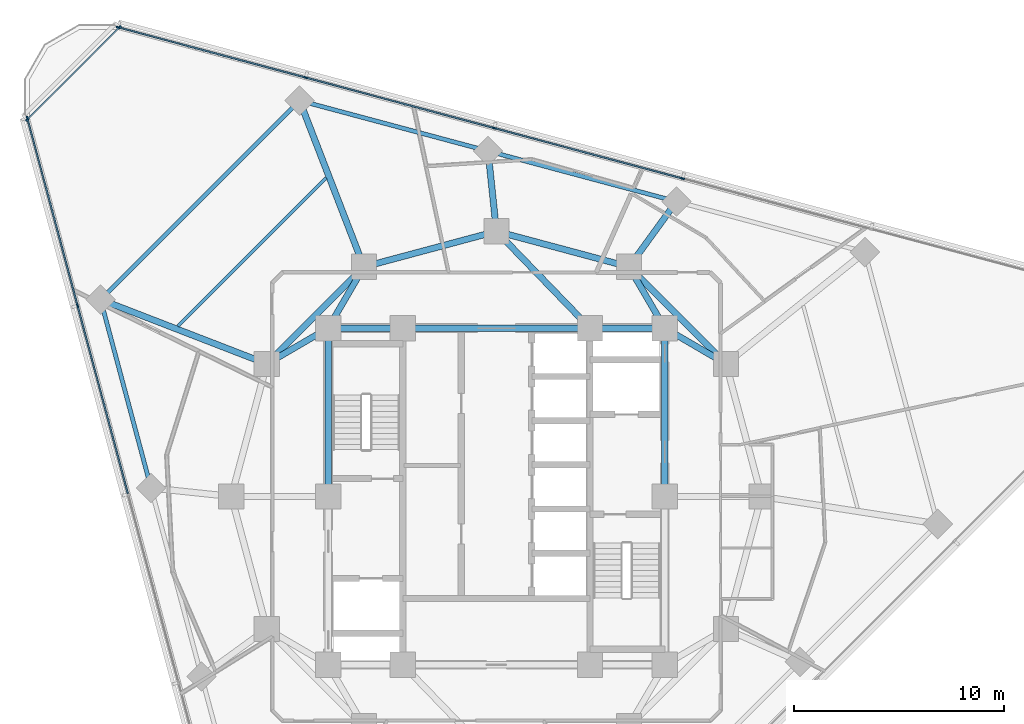
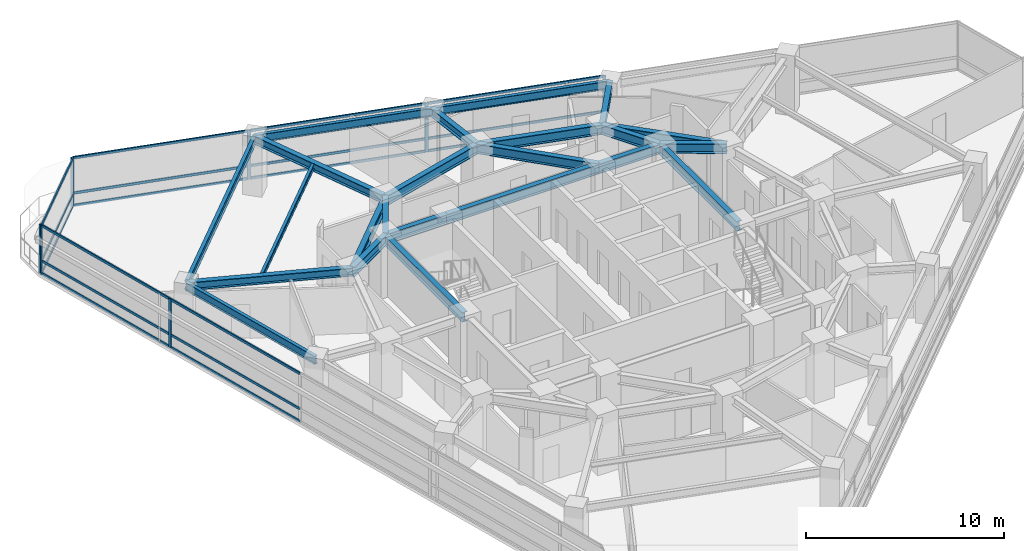
# One storey, part 4 of 14: 26 members, 23 beams, 3 elements without a shape of their own.
"""IFC4 building model written with IfcOpenShell, lengths in metres."""

from ifc_helpers import new_model, si_unit, direction, frame, origin, origin_2d, place, context, subcontext, project, spatial, rectangle, i_section, extrude, material, layer, layer_set, material_profile, profile_set, type_object, element, aggregate, save


model = new_model("IFC4")

# Units and contexts
model_context = context("Model", 3, precision=1e-05, world=origin(), true_north=direction((0.0, 1.0)))
body_context = subcontext(model_context, "Body", "Model", "MODEL_VIEW")
ifc_project = project(units=[si_unit("LENGTHUNIT", "METRE"), si_unit("AREAUNIT", "SQUARE_METRE"), si_unit("VOLUMEUNIT", "CUBIC_METRE"), si_unit("PLANEANGLEUNIT", "RADIAN"), si_unit("MASSUNIT", "GRAM", prefix="KILO")], contexts=[model_context])

# Site, building, storey
site_placement = place(None, origin())
site = spatial("IfcSite", under=ifc_project, at=site_placement, CompositionType="ELEMENT")
building_placement = place(site_placement, origin())
building = spatial("IfcBuilding", under=site, at=building_placement, Name="Terralouvre Media Tower", CompositionType="ELEMENT")
storey_placement = place(building_placement, frame((0.0, 0.0, 184.199951171875)))
storey = spatial("IfcBuildingStorey", under=building, at=storey_placement, Name="L47", CompositionType="ELEMENT", Elevation=184.199951171875)

# Beam
ifc_material_1 = material(Name="Structural steel S355J2", Category="steel")
ifc_material_profile_1 = material_profile(ifc_material_1, i_section(OverallWidth=0.159912109375, OverallDepth=0.330078125, WebThickness=0.007568359375, FlangeThickness=0.011474609375, at=origin_2d()), Name="IPE 330")
ifc_profile_set_1 = profile_set([ifc_material_profile_1], Name="Structural steel S355J2")
beam_type_1 = type_object("IfcBeamType", Name="Composite Floor Joist J-IPE330 (IPE 330)", PredefinedType="JOIST", material=ifc_profile_set_1)
beam_1_placement = place(storey_placement, frame((-8.095947265625, 15.14453125, 3.3349609375), z_axis=(-0.707106781187, -0.707106781187, 0.0), x_axis=(0.707106781187, -0.707106781187, 0.0)))
element("IfcBeam", 1, at=beam_1_placement, inside=storey, type_object=beam_type_1, Name="L47 Framing Beam JT-L47-05", PredefinedType="JOIST", context=body_context, shape_type="SweptSolid", body=[
    extrude(i_section(OverallWidth=0.159912109375, OverallDepth=0.330078125, WebThickness=0.007568359375, FlangeThickness=0.011474609375, at=origin_2d()), origin(), (0.0, 0.0, 1.0), 9.96826171875),
])

# Curtain wall, members
ifc_material_2 = material(Name="Low-iron laminated double glazing with solar-control coating", Category="glass")
ifc_layer_1 = layer(ifc_material_2, 0.1650390625, Name="Production Studio Tower Curtain Wall CW-03")
ifc_layer_set_1 = layer_set([ifc_layer_1], Name="Low-iron laminated double glazing with solar-control coating")
curtain_wall_type_1 = type_object("IfcCurtainWallType", Name="Production Studio Tower Curtain Wall CW-03", PredefinedType="NOTDEFINED", material=ifc_layer_set_1)
curtain_wall_1_placement = place(storey_placement, origin())
curtain_wall_1 = element("IfcCurtainWall", 2, at=curtain_wall_1_placement, inside=storey, type_object=curtain_wall_type_1, Name="L47 Facade Curtain Wall F1", PredefinedType="NOTDEFINED")
ifc_material_3 = material(Name="Anodised extruded aluminium 6063-T6", Category="aluminium")
ifc_material_profile_2 = material_profile(ifc_material_3, rectangle(XDim=0.074951171875, YDim=0.14990234375, at=origin_2d()), Name="ALU 75x150")
ifc_profile_set_2 = profile_set([ifc_material_profile_2], Name="Anodised extruded aluminium 6063-T6")
member_type_1 = type_object("IfcMemberType", Name="Curtain-Wall Horizontal Transom TR-150", PredefinedType="USERDEFINED", material=ifc_profile_set_2)
member_1_placement = place(storey_placement, frame((8.8115234375, 15.117431640625, 0.03759765625), z_axis=(-0.965926723605, 0.25881569625, 0.0), x_axis=(-0.25881569625, -0.965926723605, 0.0)))
member_1 = element("IfcMember", 3, at=member_1_placement, type_object=member_type_1, Name="CW-03 transom 3.1", ObjectType="TRANSOM", PredefinedType="USERDEFINED", context=body_context, shape_type="SweptSolid", body=[
    extrude(rectangle(XDim=0.074951171875, YDim=0.14990234375, at=origin_2d()), origin(), (0.0, 0.0, 1.0), 9.197265625),
])
member_2_placement = place(storey_placement, frame((8.8115234375, 15.117431640625, 0.800048828125), z_axis=(-0.965926723605, 0.25881569625, 0.0), x_axis=(-0.25881569625, -0.965926723605, 0.0)))
member_2 = element("IfcMember", 4, at=member_2_placement, type_object=member_type_1, Name="CW-03 transom 3.2", ObjectType="TRANSOM", PredefinedType="USERDEFINED", context=body_context, shape_type="SweptSolid", body=[
    extrude(rectangle(XDim=0.074951171875, YDim=0.14990234375, at=origin_2d()), origin(), (0.0, 0.0, 1.0), 9.197265625),
])
member_3_placement = place(storey_placement, frame((8.8115234375, 15.117431640625, 2.962646484375), z_axis=(-0.965926723605, 0.25881569625, 0.0), x_axis=(-0.25881569625, -0.965926723605, 0.0)))
member_3 = element("IfcMember", 5, at=member_3_placement, type_object=member_type_1, Name="CW-03 transom 3.3", ObjectType="TRANSOM", PredefinedType="USERDEFINED", context=body_context, shape_type="SweptSolid", body=[
    extrude(rectangle(XDim=0.074951171875, YDim=0.14990234375, at=origin_2d()), origin(), (0.0, 0.0, 1.0), 9.197265625),
])
member_4_placement = place(storey_placement, frame((-0.14453125, 17.517333984375, 0.03759765625), z_axis=(-0.965926723605, 0.25881569625, 0.0), x_axis=(-0.25881569625, -0.965926723605, 0.0)))
member_4 = element("IfcMember", 6, at=member_4_placement, type_object=member_type_1, Name="CW-03 transom 4.1", ObjectType="TRANSOM", PredefinedType="USERDEFINED", context=body_context, shape_type="SweptSolid", body=[
    extrude(rectangle(XDim=0.074951171875, YDim=0.14990234375, at=origin_2d()), origin(), (0.0, 0.0, 1.0), 9.197265625),
])
member_5_placement = place(storey_placement, frame((-0.14453125, 17.517333984375, 0.800048828125), z_axis=(-0.965926723605, 0.25881569625, 0.0), x_axis=(-0.25881569625, -0.965926723605, 0.0)))
member_5 = element("IfcMember", 7, at=member_5_placement, type_object=member_type_1, Name="CW-03 transom 4.2", ObjectType="TRANSOM", PredefinedType="USERDEFINED", context=body_context, shape_type="SweptSolid", body=[
    extrude(rectangle(XDim=0.074951171875, YDim=0.14990234375, at=origin_2d()), origin(), (0.0, 0.0, 1.0), 9.197265625),
])
member_6_placement = place(storey_placement, frame((-0.14453125, 17.517333984375, 2.962646484375), z_axis=(-0.965926723605, 0.25881569625, 0.0), x_axis=(-0.25881569625, -0.965926723605, 0.0)))
member_6 = element("IfcMember", 8, at=member_6_placement, type_object=member_type_1, Name="CW-03 transom 4.3", ObjectType="TRANSOM", PredefinedType="USERDEFINED", context=body_context, shape_type="SweptSolid", body=[
    extrude(rectangle(XDim=0.074951171875, YDim=0.14990234375, at=origin_2d()), origin(), (0.0, 0.0, 1.0), 9.197265625),
])
member_7_placement = place(storey_placement, frame((-9.1005859375, 19.9169921875, 0.03759765625), z_axis=(-0.965927230856, 0.25881380313, 0.0), x_axis=(-0.25881380313, -0.965927230856, 0.0)))
member_7 = element("IfcMember", 9, at=member_7_placement, type_object=member_type_1, Name="CW-03 transom 5.1", ObjectType="TRANSOM", PredefinedType="USERDEFINED", context=body_context, shape_type="SweptSolid", body=[
    extrude(rectangle(XDim=0.074951171875, YDim=0.14990234375, at=origin_2d()), origin(), (0.0, 0.0, 1.0), 9.159423828125),
])
member_8_placement = place(storey_placement, frame((-9.1005859375, 19.9169921875, 0.800048828125), z_axis=(-0.965927230856, 0.25881380313, 0.0), x_axis=(-0.25881380313, -0.965927230856, 0.0)))
member_8 = element("IfcMember", 10, at=member_8_placement, type_object=member_type_1, Name="CW-03 transom 5.2", ObjectType="TRANSOM", PredefinedType="USERDEFINED", context=body_context, shape_type="SweptSolid", body=[
    extrude(rectangle(XDim=0.074951171875, YDim=0.14990234375, at=origin_2d()), origin(), (0.0, 0.0, 1.0), 9.159423828125),
])
member_9_placement = place(storey_placement, frame((-9.1005859375, 19.9169921875, 2.962646484375), z_axis=(-0.965927230856, 0.25881380313, 0.0), x_axis=(-0.25881380313, -0.965927230856, 0.0)))
member_9 = element("IfcMember", 11, at=member_9_placement, type_object=member_type_1, Name="CW-03 transom 5.3", ObjectType="TRANSOM", PredefinedType="USERDEFINED", context=body_context, shape_type="SweptSolid", body=[
    extrude(rectangle(XDim=0.074951171875, YDim=0.14990234375, at=origin_2d()), origin(), (0.0, 0.0, 1.0), 9.159423828125),
])

curtain_wall_2_placement = place(storey_placement, origin())
curtain_wall_2 = element("IfcCurtainWall", 12, at=curtain_wall_2_placement, inside=storey, type_object=curtain_wall_type_1, Name="L47 Facade Curtain Wall F2", PredefinedType="NOTDEFINED")
member_10_placement = place(storey_placement, frame((-22.28759765625, 17.947998046875, 0.03759765625), z_axis=(0.25881380313, -0.965927230856, 0.0), x_axis=(0.965927230856, 0.25881380313, 0.0)))
member_10 = element("IfcMember", 13, at=member_10_placement, type_object=member_type_1, Name="CW-03 transom 1.1", ObjectType="TRANSOM", PredefinedType="USERDEFINED", context=body_context, shape_type="SweptSolid", body=[
    extrude(rectangle(XDim=0.074951171875, YDim=0.14990234375, at=origin_2d()), origin(), (0.0, 0.0, 1.0), 9.159423828125),
])
member_11_placement = place(storey_placement, frame((-22.28759765625, 17.947998046875, 0.800048828125), z_axis=(0.25881380313, -0.965927230856, 0.0), x_axis=(0.965927230856, 0.25881380313, 0.0)))
member_11 = element("IfcMember", 14, at=member_11_placement, type_object=member_type_1, Name="CW-03 transom 1.2", ObjectType="TRANSOM", PredefinedType="USERDEFINED", context=body_context, shape_type="SweptSolid", body=[
    extrude(rectangle(XDim=0.074951171875, YDim=0.14990234375, at=origin_2d()), origin(), (0.0, 0.0, 1.0), 9.159423828125),
])
member_12_placement = place(storey_placement, frame((-22.28759765625, 17.947998046875, 2.962646484375), z_axis=(0.25881380313, -0.965927230856, 0.0), x_axis=(0.965927230856, 0.25881380313, 0.0)))
member_12 = element("IfcMember", 15, at=member_12_placement, type_object=member_type_1, Name="CW-03 transom 1.3", ObjectType="TRANSOM", PredefinedType="USERDEFINED", context=body_context, shape_type="SweptSolid", body=[
    extrude(rectangle(XDim=0.074951171875, YDim=0.14990234375, at=origin_2d()), origin(), (0.0, 0.0, 1.0), 9.159423828125),
])
member_13_placement = place(storey_placement, frame((-19.897705078125, 9.0283203125, 0.03759765625), z_axis=(0.25881569625, -0.965926723605, 0.0), x_axis=(0.965926723605, 0.25881569625, 0.0)))
member_13 = element("IfcMember", 16, at=member_13_placement, type_object=member_type_1, Name="CW-03 transom 2.1", ObjectType="TRANSOM", PredefinedType="USERDEFINED", context=body_context, shape_type="SweptSolid", body=[
    extrude(rectangle(XDim=0.074951171875, YDim=0.14990234375, at=origin_2d()), origin(), (0.0, 0.0, 1.0), 9.197265625),
])
member_14_placement = place(storey_placement, frame((-19.897705078125, 9.0283203125, 0.800048828125), z_axis=(0.25881569625, -0.965926723605, 0.0), x_axis=(0.965926723605, 0.25881569625, 0.0)))
member_14 = element("IfcMember", 17, at=member_14_placement, type_object=member_type_1, Name="CW-03 transom 2.2", ObjectType="TRANSOM", PredefinedType="USERDEFINED", context=body_context, shape_type="SweptSolid", body=[
    extrude(rectangle(XDim=0.074951171875, YDim=0.14990234375, at=origin_2d()), origin(), (0.0, 0.0, 1.0), 9.197265625),
])
member_15_placement = place(storey_placement, frame((-19.897705078125, 9.0283203125, 2.962646484375), z_axis=(0.25881569625, -0.965926723605, 0.0), x_axis=(0.965926723605, 0.25881569625, 0.0)))
member_15 = element("IfcMember", 18, at=member_15_placement, type_object=member_type_1, Name="CW-03 transom 2.3", ObjectType="TRANSOM", PredefinedType="USERDEFINED", context=body_context, shape_type="SweptSolid", body=[
    extrude(rectangle(XDim=0.074951171875, YDim=0.14990234375, at=origin_2d()), origin(), (0.0, 0.0, 1.0), 9.197265625),
])

ifc_material_4 = material(Name="Low-iron laminated double glazing with solar-control coating", Category="glass")
ifc_layer_2 = layer(ifc_material_4, 0.1650390625, Name="Rounded Wind-Corner Curved Glazing CW-04")
ifc_layer_set_2 = layer_set([ifc_layer_2], Name="Low-iron laminated double glazing with solar-control coating")
curtain_wall_type_2 = type_object("IfcCurtainWallType", Name="Rounded Wind-Corner Curved Glazing CW-04", PredefinedType="NOTDEFINED", material=ifc_layer_set_2)
curtain_wall_3_placement = place(storey_placement, origin())
curtain_wall_3 = element("IfcCurtainWall", 19, at=curtain_wall_3_placement, inside=storey, type_object=curtain_wall_type_2, Name="L47 Rounded Wind-Corner Curtain Wall C2", PredefinedType="NOTDEFINED")
member_16_placement = place(storey_placement, frame((-17.943603515625, 22.27099609375, 0.03759765625), z_axis=(-0.707106781187, -0.707106781187, 0.0), x_axis=(0.707106781187, -0.707106781187, 0.0)))
member_16 = element("IfcMember", 20, at=member_16_placement, type_object=member_type_1, Name="CW-04 transom 1.1", ObjectType="TRANSOM", PredefinedType="USERDEFINED", context=body_context, shape_type="SweptSolid", body=[
    extrude(rectangle(XDim=0.074951171875, YDim=0.14990234375, at=origin_2d()), origin(), (0.0, 0.0, 1.0), 6.119873046875),
])
member_17_placement = place(storey_placement, frame((-17.943603515625, 22.27099609375, 0.800048828125), z_axis=(-0.707106781187, -0.707106781187, 0.0), x_axis=(0.707106781187, -0.707106781187, 0.0)))
member_17 = element("IfcMember", 21, at=member_17_placement, type_object=member_type_1, Name="CW-04 transom 1.2", ObjectType="TRANSOM", PredefinedType="USERDEFINED", context=body_context, shape_type="SweptSolid", body=[
    extrude(rectangle(XDim=0.074951171875, YDim=0.14990234375, at=origin_2d()), origin(), (0.0, 0.0, 1.0), 6.119873046875),
])
member_18_placement = place(storey_placement, frame((-17.943603515625, 22.27099609375, 2.962646484375), z_axis=(-0.707106781187, -0.707106781187, 0.0), x_axis=(0.707106781187, -0.707106781187, 0.0)))
member_18 = element("IfcMember", 22, at=member_18_placement, type_object=member_type_1, Name="CW-04 transom 1.3", ObjectType="TRANSOM", PredefinedType="USERDEFINED", context=body_context, shape_type="SweptSolid", body=[
    extrude(rectangle(XDim=0.074951171875, YDim=0.14990234375, at=origin_2d()), origin(), (0.0, 0.0, 1.0), 6.119873046875),
])

# Member
ifc_material_5 = material(Name="Anodised extruded aluminium 6063-T6", Category="aluminium")
ifc_material_profile_3 = material_profile(ifc_material_5, rectangle(XDim=0.074951171875, YDim=0.179931640625, at=origin_2d()), Name="ALU 75x180")
ifc_profile_set_3 = profile_set([ifc_material_profile_3], Name="Anodised extruded aluminium 6063-T6")
member_type_2 = type_object("IfcMemberType", Name="Curtain-Wall Vertical Mullion ML-180", PredefinedType="MULLION", material=ifc_profile_set_3)
member_19_placement = place(storey_placement, frame((8.84765625, 15.10791015625, 0.0), z_axis=(0.0, 0.0, 1.0), x_axis=(-0.25881903342, -0.96592582942, 0.0)))
member_19 = element("IfcMember", 23, at=member_19_placement, type_object=member_type_2, Name="CW-03 mullion 3", PredefinedType="MULLION", context=body_context, shape_type="SweptSolid", body=[
    extrude(rectangle(XDim=0.074951171875, YDim=0.179931640625, at=origin_2d()), origin(), (0.0, 0.0, 1.0), 3.0),
])

member_20_placement = place(storey_placement, frame((-0.1083984375, 17.507568359375, 0.0), z_axis=(0.0, 0.0, 1.0), x_axis=(-0.25881903342, -0.96592582942, 0.0)))
member_20 = element("IfcMember", 24, at=member_20_placement, type_object=member_type_2, Name="CW-03 mullion 4", PredefinedType="MULLION", context=body_context, shape_type="SweptSolid", body=[
    extrude(rectangle(XDim=0.074951171875, YDim=0.179931640625, at=origin_2d()), origin(), (0.0, 0.0, 1.0), 3.0),
])

member_21_placement = place(storey_placement, frame((-9.064453125, 19.907470703125, 0.0), z_axis=(0.0, 0.0, 1.0), x_axis=(-0.25881903342, -0.96592582942, 0.0)))
member_21 = element("IfcMember", 25, at=member_21_placement, type_object=member_type_2, Name="CW-03 mullion 5", PredefinedType="MULLION", context=body_context, shape_type="SweptSolid", body=[
    extrude(rectangle(XDim=0.074951171875, YDim=0.179931640625, at=origin_2d()), origin(), (0.0, 0.0, 1.0), 3.0),
])

member_22_placement = place(storey_placement, frame((-17.984375, 22.29736328125, 0.0), z_axis=(0.0, 0.0, 1.0), x_axis=(-0.25881903342, -0.96592582942, 0.0)))
member_22 = element("IfcMember", 26, at=member_22_placement, type_object=member_type_2, Name="CW-03 mullion 6", PredefinedType="MULLION", context=body_context, shape_type="SweptSolid", body=[
    extrude(rectangle(XDim=0.074951171875, YDim=0.179931640625, at=origin_2d()), origin(), (0.0, 0.0, 1.0), 3.0),
])

aggregate(curtain_wall_1, [member_19, member_20, member_21, member_22, member_1, member_2, member_3, member_4, member_5, member_6, member_7, member_8, member_9])

member_23_placement = place(storey_placement, frame((-22.29736328125, 17.984375, 0.0), z_axis=(0.0, 0.0, 1.0), x_axis=(0.96592582942, 0.25881903342, 0.0)))
member_23 = element("IfcMember", 27, at=member_23_placement, type_object=member_type_2, Name="CW-03 mullion 1", PredefinedType="MULLION", context=body_context, shape_type="SweptSolid", body=[
    extrude(rectangle(XDim=0.074951171875, YDim=0.179931640625, at=origin_2d()), origin(), (0.0, 0.0, 1.0), 3.0),
])

member_24_placement = place(storey_placement, frame((-19.907470703125, 9.064453125, 0.0), z_axis=(0.0, 0.0, 1.0), x_axis=(0.96592582942, 0.25881903342, 0.0)))
member_24 = element("IfcMember", 28, at=member_24_placement, type_object=member_type_2, Name="CW-03 mullion 2", PredefinedType="MULLION", context=body_context, shape_type="SweptSolid", body=[
    extrude(rectangle(XDim=0.074951171875, YDim=0.179931640625, at=origin_2d()), origin(), (0.0, 0.0, 1.0), 3.0),
])

aggregate(curtain_wall_2, [member_23, member_24, member_10, member_11, member_12, member_13, member_14, member_15])

member_25_placement = place(storey_placement, frame((-17.9169921875, 22.297607421875, 0.0), z_axis=(0.0, 0.0, 1.0), x_axis=(0.707106781187, -0.707106781187, 0.0)))
member_25 = element("IfcMember", 29, at=member_25_placement, type_object=member_type_2, Name="CW-04 mullion 1", PredefinedType="MULLION", context=body_context, shape_type="SweptSolid", body=[
    extrude(rectangle(XDim=0.074951171875, YDim=0.179931640625, at=origin_2d()), origin(), (0.0, 0.0, 1.0), 3.0),
])

member_26_placement = place(storey_placement, frame((-22.297607421875, 17.9169921875, 0.0), z_axis=(0.0, 0.0, 1.0), x_axis=(0.707106781187, -0.707106781187, 0.0)))
member_26 = element("IfcMember", 30, at=member_26_placement, type_object=member_type_2, Name="CW-04 mullion 2", PredefinedType="MULLION", context=body_context, shape_type="SweptSolid", body=[
    extrude(rectangle(XDim=0.074951171875, YDim=0.179931640625, at=origin_2d()), origin(), (0.0, 0.0, 1.0), 3.0),
])

aggregate(curtain_wall_3, [member_25, member_26, member_16, member_17, member_18])

# Beams
ifc_material_6 = material(Name="Structural steel S355J2", Category="steel")
ifc_material_profile_4 = material_profile(ifc_material_6, i_section(OverallWidth=0.199951171875, OverallDepth=0.5, WebThickness=0.01025390625, FlangeThickness=0.01611328125, at=origin_2d()), Name="IPE 500")
ifc_profile_set_4 = profile_set([ifc_material_profile_4], Name="Structural steel S355J2")
beam_type_2 = type_object("IfcBeamType", Name="Perimeter Spandrel Beam SPB-500 (IPE 500)", PredefinedType="SPANDREL", material=ifc_profile_set_4)
for number, where, z_axis, x_axis, name in (
    (31, (8.55517578125, 14.016357421875, 3.25), (-0.965928776458, 0.258808034669, 0.0), (-0.258808034669, -0.965928776458, 0.0), "L47 Framing Beam BM-L47-PR08"),
    (32, (-0.40087890625, 16.416015625, 3.25), (-0.965922193685, 0.258832601786, 0.0), (-0.258832601786, -0.965922193685, 0.0), "L47 Framing Beam BM-L47-PR09"),
):
    element("IfcBeam", number, at=place(storey_placement, frame(where, z_axis=z_axis, x_axis=x_axis)), inside=storey, type_object=beam_type_2, Name=name, PredefinedType="SPANDREL", context=body_context, shape_type="SweptSolid", body=[
        extrude(i_section(OverallWidth=0.199951171875, OverallDepth=0.5, WebThickness=0.01025390625, FlangeThickness=0.01611328125, at=origin_2d()), origin(), (0.0, 0.0, 1.0), 9.27197265625),
    ])
beam_2_placement = place(storey_placement, frame((-9.35693359375, 18.81591796875, 3.25), z_axis=(-0.707106781187, -0.707106781187, 0.0), x_axis=(0.707106781187, -0.707106781187, 0.0)))
element("IfcBeam", 33, at=beam_2_placement, inside=storey, type_object=beam_type_2, Name="L47 Framing Beam BM-L47-PR10", PredefinedType="SPANDREL", context=body_context, shape_type="SweptSolid", body=[
    extrude(i_section(OverallWidth=0.199951171875, OverallDepth=0.5, WebThickness=0.01025390625, FlangeThickness=0.01611328125, at=origin_2d()), origin(), (0.0, 0.0, 1.0), 13.376953125),
])
beam_3_placement = place(storey_placement, frame((-18.81591796875, 9.35693359375, 3.25), z_axis=(0.258832601786, -0.965922193685, 0.0), x_axis=(0.965922193685, 0.258832601786, 0.0)))
element("IfcBeam", 34, at=beam_3_placement, inside=storey, type_object=beam_type_2, Name="L47 Framing Beam BM-L47-PR11", PredefinedType="SPANDREL", context=body_context, shape_type="SweptSolid", body=[
    extrude(i_section(OverallWidth=0.199951171875, OverallDepth=0.5, WebThickness=0.01025390625, FlangeThickness=0.01611328125, at=origin_2d()), origin(), (0.0, 0.0, 1.0), 9.27197265625),
])
ifc_material_7 = material(Name="Structural steel S355J2", Category="steel")
ifc_material_profile_5 = material_profile(ifc_material_7, i_section(OverallWidth=0.300048828125, OverallDepth=0.5, WebThickness=0.014404296875, FlangeThickness=0.028076171875, at=origin_2d()), Name="HEB 500")
ifc_profile_set_5 = profile_set([ifc_material_profile_5], Name="Structural steel S355J2")
beam_type_3 = type_object("IfcBeamType", Name="Primary Floor Girder B-HEB500 (HEB 500)", PredefinedType="BEAM", material=ifc_profile_set_5)
beam_4_placement = place(storey_placement, frame((6.300048828125, 10.911865234375, 3.25), z_axis=(0.587713839807, 0.809068873767, 0.0), x_axis=(-0.809068873767, 0.587713839807, 0.0)))
element("IfcBeam", 35, at=beam_4_placement, inside=storey, type_object=beam_type_3, Name="L47 Framing Beam BM-L47-RD08", PredefinedType="BEAM", context=body_context, shape_type="SweptSolid", body=[
    extrude(i_section(OverallWidth=0.300048828125, OverallDepth=0.5, WebThickness=0.014404296875, FlangeThickness=0.028076171875, at=origin_2d()), origin(), (0.0, 0.0, 1.0), 3.837158203125),
])
beam_5_placement = place(storey_placement, frame((0.0, 12.60009765625, 3.25), z_axis=(-0.104479425033, 0.994527048272, 0.0), x_axis=(-0.994527048272, -0.104479425033, 0.0)))
element("IfcBeam", 36, at=beam_5_placement, inside=storey, type_object=beam_type_3, Name="L47 Framing Beam BM-L47-RD09", PredefinedType="BEAM", context=body_context, shape_type="SweptSolid", body=[
    extrude(i_section(OverallWidth=0.300048828125, OverallDepth=0.5, WebThickness=0.014404296875, FlangeThickness=0.028076171875, at=origin_2d()), origin(), (0.0, 0.0, 1.0), 3.8369140625),
])
for number, where, z_axis, x_axis, name in (
    (37, (-6.300048828125, 10.911865234375, 3.25), (-0.360712022835, 0.932677241377, 0.0), (-0.932677241377, -0.360712022835, 0.0), "L47 Framing Beam BM-L47-RD10"),
    (38, (-10.911865234375, 6.300048828125, 3.25), (-0.932677241377, 0.360712022835, 0.0), (-0.360712022835, -0.932677241377, 0.0), "L47 Framing Beam BM-L47-RD11"),
):
    element("IfcBeam", number, at=place(storey_placement, frame(where, z_axis=z_axis, x_axis=x_axis)), inside=storey, type_object=beam_type_3, Name=name, PredefinedType="BEAM", context=body_context, shape_type="SweptSolid", body=[
        extrude(i_section(OverallWidth=0.300048828125, OverallDepth=0.5, WebThickness=0.014404296875, FlangeThickness=0.028076171875, at=origin_2d()), origin(), (0.0, 0.0, 1.0), 8.474609375),
    ])
ifc_material_8 = material(Name="Structural steel S460M", Category="steel")
ifc_material_profile_6 = material_profile(ifc_material_8, i_section(OverallWidth=0.300048828125, OverallDepth=0.60009765625, WebThickness=0.015380859375, FlangeThickness=0.030029296875, at=origin_2d()), Name="HEB 600")
ifc_profile_set_6 = profile_set([ifc_material_profile_6], Name="Structural steel S460M")
beam_type_4 = type_object("IfcBeamType", Name="Primary Floor Girder B-HEB600 (HEB 600)", PredefinedType="BEAM", material=ifc_profile_set_6)
beam_6_placement = place(storey_placement, frame((8.0, 0.0, 3.199951171875), z_axis=(0.0, 1.0, 0.0), x_axis=(-1.0, 0.0, 0.0)))
element("IfcBeam", 39, at=beam_6_placement, inside=storey, type_object=beam_type_4, Name="L47 Framing Beam BM-L47-CPR05", PredefinedType="BEAM", context=body_context, shape_type="SweptSolid", body=[
    extrude(i_section(OverallWidth=0.300048828125, OverallDepth=0.60009765625, WebThickness=0.015380859375, FlangeThickness=0.030029296875, at=origin_2d()), origin(), (0.0, 0.0, 1.0), 8.0),
])
beam_7_placement = place(storey_placement, frame((8.0, 8.0, 3.199951171875), z_axis=(-1.0, 0.0, 0.0), x_axis=(0.0, -1.0, 0.0)))
element("IfcBeam", 40, at=beam_7_placement, inside=storey, type_object=beam_type_4, Name="L47 Framing Beam BM-L47-CPR06", PredefinedType="BEAM", context=body_context, shape_type="SweptSolid", body=[
    extrude(i_section(OverallWidth=0.300048828125, OverallDepth=0.60009765625, WebThickness=0.015380859375, FlangeThickness=0.030029296875, at=origin_2d()), origin(), (0.0, 0.0, 1.0), 3.550048828125),
])
beam_8_placement = place(storey_placement, frame((4.449951171875, 8.0, 3.199951171875), z_axis=(-1.0, 0.0, 0.0), x_axis=(0.0, -1.0, 0.0)))
element("IfcBeam", 41, at=beam_8_placement, inside=storey, type_object=beam_type_4, Name="L47 Framing Beam BM-L47-CPR07", PredefinedType="BEAM", context=body_context, shape_type="SweptSolid", body=[
    extrude(i_section(OverallWidth=0.300048828125, OverallDepth=0.60009765625, WebThickness=0.015380859375, FlangeThickness=0.030029296875, at=origin_2d()), origin(), (0.0, 0.0, 1.0), 8.89990234375),
])
beam_9_placement = place(storey_placement, frame((-4.449951171875, 8.0, 3.199951171875), z_axis=(-1.0, 0.0, 0.0), x_axis=(0.0, -1.0, 0.0)))
element("IfcBeam", 42, at=beam_9_placement, inside=storey, type_object=beam_type_4, Name="L47 Framing Beam BM-L47-CPR08", PredefinedType="BEAM", context=body_context, shape_type="SweptSolid", body=[
    extrude(i_section(OverallWidth=0.300048828125, OverallDepth=0.60009765625, WebThickness=0.015380859375, FlangeThickness=0.030029296875, at=origin_2d()), origin(), (0.0, 0.0, 1.0), 3.550048828125),
])
beam_10_placement = place(storey_placement, frame((-8.0, 8.0, 3.199951171875), z_axis=(0.0, -1.0, 0.0), x_axis=(1.0, 0.0, 0.0)))
element("IfcBeam", 43, at=beam_10_placement, inside=storey, type_object=beam_type_4, Name="L47 Framing Beam BM-L47-CPR09", PredefinedType="BEAM", context=body_context, shape_type="SweptSolid", body=[
    extrude(i_section(OverallWidth=0.300048828125, OverallDepth=0.60009765625, WebThickness=0.015380859375, FlangeThickness=0.030029296875, at=origin_2d()), origin(), (0.0, 0.0, 1.0), 8.0),
])
beam_11_placement = place(storey_placement, frame((10.911865234375, 6.300048828125, 3.199951171875), z_axis=(-0.707106781187, 0.707106781187, 0.0), x_axis=(-0.707106781187, -0.707106781187, 0.0)))
element("IfcBeam", 44, at=beam_11_placement, inside=storey, type_object=beam_type_4, Name="L47 Framing Beam BM-L47-MR07", PredefinedType="BEAM", context=body_context, shape_type="SweptSolid", body=[
    extrude(i_section(OverallWidth=0.300048828125, OverallDepth=0.60009765625, WebThickness=0.015380859375, FlangeThickness=0.030029296875, at=origin_2d()), origin(), (0.0, 0.0, 1.0), 6.52197265625),
])
for number, where, z_axis, x_axis, name in (
    (45, (6.300048828125, 10.911865234375, 3.199951171875), (-0.965920481897, 0.258838989821, 0.0), (-0.258838989821, -0.965920481897, 0.0), "L47 Framing Beam BM-L47-MR08"),
    (46, (0.0, 12.60009765625, 3.199951171875), (-0.965920481897, -0.258838989821, 0.0), (0.258838989821, -0.965920481897, 0.0), "L47 Framing Beam BM-L47-MR09"),
):
    element("IfcBeam", number, at=place(storey_placement, frame(where, z_axis=z_axis, x_axis=x_axis)), inside=storey, type_object=beam_type_4, Name=name, PredefinedType="BEAM", context=body_context, shape_type="SweptSolid", body=[
        extrude(i_section(OverallWidth=0.300048828125, OverallDepth=0.60009765625, WebThickness=0.015380859375, FlangeThickness=0.030029296875, at=origin_2d()), origin(), (0.0, 0.0, 1.0), 6.522216796875),
    ])
beam_12_placement = place(storey_placement, frame((-6.300048828125, 10.911865234375, 3.199951171875), z_axis=(-0.707106781187, -0.707106781187, 0.0), x_axis=(0.707106781187, -0.707106781187, 0.0)))
element("IfcBeam", 47, at=beam_12_placement, inside=storey, type_object=beam_type_4, Name="L47 Framing Beam BM-L47-MR10", PredefinedType="BEAM", context=body_context, shape_type="SweptSolid", body=[
    extrude(i_section(OverallWidth=0.300048828125, OverallDepth=0.60009765625, WebThickness=0.015380859375, FlangeThickness=0.030029296875, at=origin_2d()), origin(), (0.0, 0.0, 1.0), 6.52197265625),
])
for number, where, z_axis, x_axis, name in (
    (48, (8.0, 8.0, 3.199951171875), (0.863602894532, -0.504172629717, 0.0), (0.504172629717, 0.863602894532, 0.0), "L47 Framing Beam BM-L47-CM07"),
    (49, (8.0, 8.0, 3.199951171875), (-0.504172629717, 0.863602894532, 0.0), (-0.863602894532, -0.504172629717, 0.0), "L47 Framing Beam BM-L47-CM08"),
):
    element("IfcBeam", number, at=place(storey_placement, frame(where, z_axis=z_axis, x_axis=x_axis)), inside=storey, type_object=beam_type_4, Name=name, PredefinedType="BEAM", context=body_context, shape_type="SweptSolid", body=[
        extrude(i_section(OverallWidth=0.300048828125, OverallDepth=0.60009765625, WebThickness=0.015380859375, FlangeThickness=0.030029296875, at=origin_2d()), origin(), (0.0, 0.0, 1.0), 3.371826171875),
    ])
beam_13_placement = place(storey_placement, frame((4.449951171875, 8.0, 3.199951171875), z_axis=(-0.695279715726, 0.718739255155, 0.0), x_axis=(-0.718739255155, -0.695279715726, 0.0)))
element("IfcBeam", 50, at=beam_13_placement, inside=storey, type_object=beam_type_4, Name="L47 Framing Beam BM-L47-CM09", PredefinedType="BEAM", context=body_context, shape_type="SweptSolid", body=[
    extrude(i_section(OverallWidth=0.300048828125, OverallDepth=0.60009765625, WebThickness=0.015380859375, FlangeThickness=0.030029296875, at=origin_2d()), origin(), (0.0, 0.0, 1.0), 6.400146484375),
])
for number, where, z_axis, x_axis, name in (
    (51, (-8.0, 8.0, 3.199951171875), (0.504172629717, 0.863602894532, 0.0), (-0.863602894532, 0.504172629717, 0.0), "L47 Framing Beam BM-L47-CM10"),
    (52, (-8.0, 8.0, 3.199951171875), (-0.863602894532, -0.504172629717, 0.0), (0.504172629717, -0.863602894532, 0.0), "L47 Framing Beam BM-L47-CM11"),
):
    element("IfcBeam", number, at=place(storey_placement, frame(where, z_axis=z_axis, x_axis=x_axis)), inside=storey, type_object=beam_type_4, Name=name, PredefinedType="BEAM", context=body_context, shape_type="SweptSolid", body=[
        extrude(i_section(OverallWidth=0.300048828125, OverallDepth=0.60009765625, WebThickness=0.015380859375, FlangeThickness=0.030029296875, at=origin_2d()), origin(), (0.0, 0.0, 1.0), 3.371826171875),
    ])

save(model, "model.ifc")
